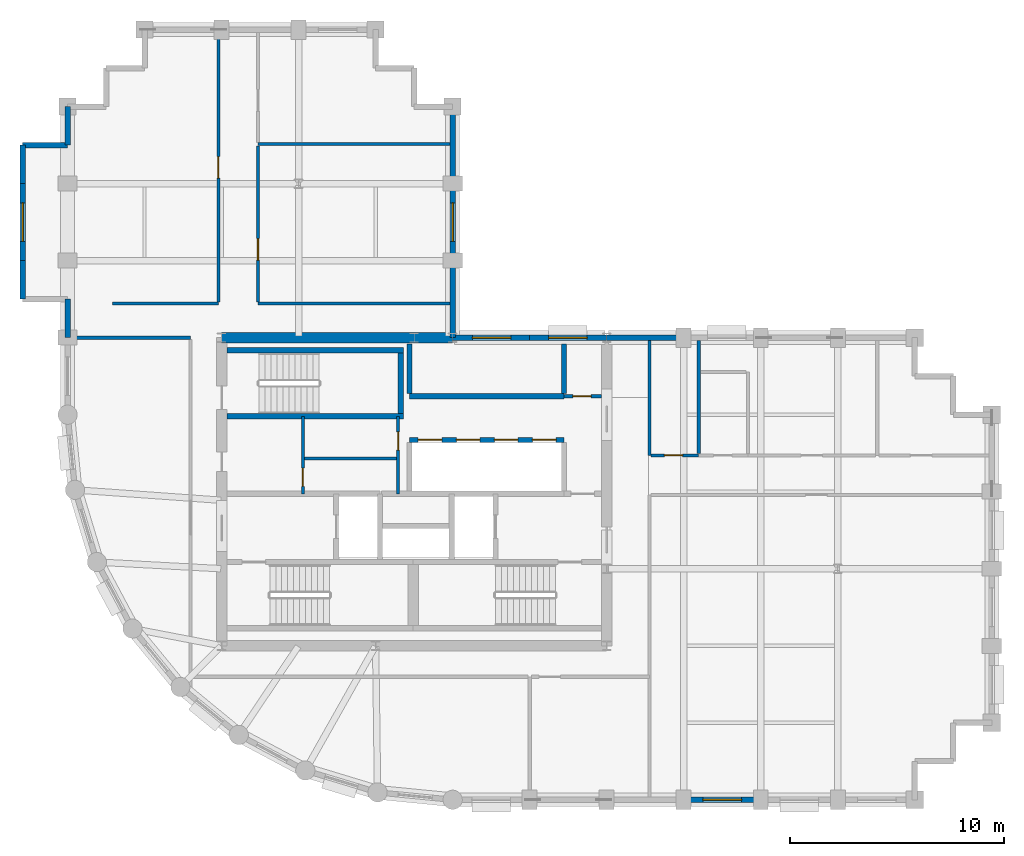
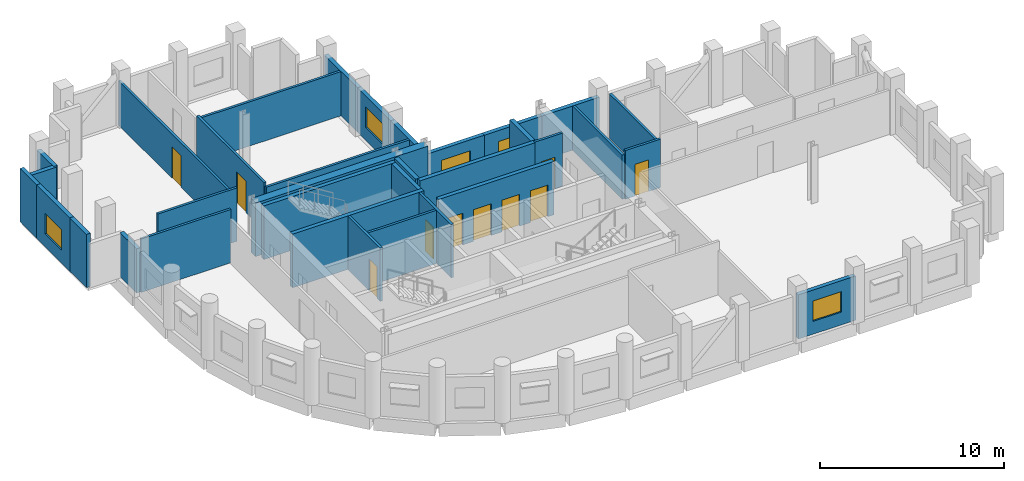
# One storey, part 4 of 8: 34 walls, 10 doors, 5 windows, 15 openings.
"""IFC4 building model written with IfcOpenShell, lengths in metres."""

import ifcopenshell
import ifcopenshell.guid

model = None  # the IFC model being written
_history = None  # IfcOwnerHistory: only IFC2X3 demands one
_inside = {}  # id of a spatial element -> (the spatial element, [elements in it])
_under = {}  # id of a project, library or spatial element -> (it, [spatial elements below it])
_declared = {}  # id of a project -> (the project, [libraries it declares])
_typed = {}  # id of a type object -> (the type object, [elements of that type])
_made_of = {}  # id of a material, layer set ... -> (it, [elements and type objects made of it])


def new_model(schema):
    """Start an empty IFC model of exactly this schema.

    Asked for "IFC4X3", IfcOpenShell would pick the latest addendum, in which some entities
    have other attributes; the version numbers below select the first issue.
    IFC2X3 requires an IfcOwnerHistory on every rooted entity: one is made here for all.
    """
    global model, _history
    if schema == "IFC4X3":
        model = ifcopenshell.file(schema_version=(4, 3, 0, 0))
    else:
        model = ifcopenshell.file(schema=schema)
    _inside.clear()
    _under.clear()
    _declared.clear()
    _typed.clear()
    _made_of.clear()
    _history = None
    if model.schema == "IFC2X3":
        org = make("IfcOrganization", Name="unknown")
        user = make(
            "IfcPersonAndOrganization",
            ThePerson=make("IfcPerson", FamilyName="unknown"),
            TheOrganization=org,
        )
        app = make(
            "IfcApplication",
            ApplicationDeveloper=org,
            Version="unknown",
            ApplicationFullName="unknown",
            ApplicationIdentifier="unknown",
        )
        _history = make(
            "IfcOwnerHistory",
            OwningUser=user,
            OwningApplication=app,
            ChangeAction="ADDED",
            CreationDate=0,
        )
    return model


def make(cls, **values):
    """One entity of the class cls with the attributes given. An attribute that is None is left unset."""
    return model.create_entity(
        cls, **{name: value for name, value in values.items() if value is not None}
    )


def rooted(cls, **values):
    """An entity with a GlobalId (a new one), such as an element, a storey or a relation."""
    return make(cls, GlobalId=ifcopenshell.guid.new(), OwnerHistory=_history, **values)


def si_unit(unit_type, name, prefix=None):
    """IfcSIUnit, for example si_unit("LENGTHUNIT", "METRE", prefix="MILLI")."""
    return make("IfcSIUnit", UnitType=unit_type, Prefix=prefix, Name=name)


def assignment(units):
    """IfcUnitAssignment: the units of a project."""
    return None if units is None else make("IfcUnitAssignment", Units=units)


def point(xyz):
    """IfcCartesianPoint."""
    return None if xyz is None else make("IfcCartesianPoint", Coordinates=xyz)


def direction(xyz):
    """IfcDirection."""
    return None if xyz is None else make("IfcDirection", DirectionRatios=xyz)


def frame(location, z_axis=None, x_axis=None):
    """IfcAxis2Placement3D, a coordinate frame: its origin and axes. An axis left out is left unset."""
    return make(
        "IfcAxis2Placement3D",
        Location=point(location),
        Axis=direction(z_axis),
        RefDirection=direction(x_axis),
    )


def frame_2d(location, x_axis=None):
    """IfcAxis2Placement2D, a coordinate frame in the plane: its origin and x axis."""
    return make(
        "IfcAxis2Placement2D", Location=point(location), RefDirection=direction(x_axis)
    )


def origin():
    """The frame at (0, 0, 0) with its axes left unset."""
    return frame((0.0, 0.0, 0.0))


def place(relative_to, where):
    """IfcLocalPlacement: puts the frame where relative to a parent placement (None: the world)."""
    return make(
        "IfcLocalPlacement", PlacementRelTo=relative_to, RelativePlacement=where
    )


def context(
    kind, dimensions, precision=None, world=None, true_north=None, identifier=None
):
    """IfcGeometricRepresentationContext, for example the 3D "Model" context."""
    return make(
        "IfcGeometricRepresentationContext",
        ContextIdentifier=identifier,
        ContextType=kind,
        CoordinateSpaceDimension=dimensions,
        Precision=precision,
        WorldCoordinateSystem=world,
        TrueNorth=true_north,
    )


def subcontext(parent, identifier, kind, view, scale=None):
    """IfcGeometricRepresentationSubContext, for example "Body" below "Model"."""
    return make(
        "IfcGeometricRepresentationSubContext",
        ContextIdentifier=identifier,
        ContextType=kind,
        ParentContext=parent,
        TargetScale=scale,
        TargetView=view,
    )


def project(units=None, contexts=None):
    """IfcProject with its units and contexts."""
    return rooted(
        "IfcProject",
        Name="project",
        RepresentationContexts=contexts,
        UnitsInContext=assignment(units),
    )


def spatial(cls, under=None, at=None, **own):
    """A site, building, storey or space (cls), placed at a placement, below another one or the project."""
    s = rooted(cls, ObjectPlacement=at, **own)
    if under is not None:
        _under.setdefault(under.id(), (under, []))[1].append(s)
    return s


def profile(cls, at=None, kind="AREA", **sizes):
    """A parametric profile (cls). Its sizes go by their IFC names, for example OverallWidth=200.0."""
    return make(cls, ProfileType=kind, Position=at, **sizes)


def rectangle(**sizes):
    """IfcRectangleProfileDef."""
    return profile("IfcRectangleProfileDef", **sizes)


def extrude(swept, where, along, depth):
    """IfcExtrudedAreaSolid: the profile swept, set in the frame where, extruded along a direction by depth."""
    return make(
        "IfcExtrudedAreaSolid",
        SweptArea=swept,
        Position=where,
        ExtrudedDirection=direction(along),
        Depth=depth,
    )


def shape(context_of_items, identifier, shape_type, items):
    """IfcShapeRepresentation: the items that make up one representation, for example the "Body"."""
    return make(
        "IfcShapeRepresentation",
        ContextOfItems=context_of_items,
        RepresentationIdentifier=identifier,
        RepresentationType=shape_type,
        Items=items,
    )


def material(Name=None, Category=None):
    """IfcMaterial."""
    return make("IfcMaterial", Name=Name, Category=Category)


def layer(
    of_material, thickness, ventilated=None, Name=None, Category=None, Priority=None
):
    """IfcMaterialLayer: one layer of a wall or slab, of a material (None: an air gap)."""
    return make(
        "IfcMaterialLayer",
        Material=of_material,
        LayerThickness=thickness,
        IsVentilated=ventilated,
        Name=Name,
        Category=Category,
        Priority=Priority,
    )


def layer_set(layers, Name=None):
    """IfcMaterialLayerSet."""
    return make("IfcMaterialLayerSet", MaterialLayers=layers, LayerSetName=Name)


def made_of(thing, what):
    """Note that an element or type object is made of a material, layer set ...; save() writes the relation."""
    if what is not None:
        _made_of.setdefault(what.id(), (what, []))[1].append(thing)
    return thing


def type_object(cls, material=None, **own):
    """A type object (cls), such as IfcWallType, which elements share."""
    return made_of(rooted(cls, **own), material)


def element(
    cls,
    number,
    at=None,
    inside=None,
    cuts=None,
    type_object=None,
    material=None,
    context=None,
    identifier="Body",
    shape_type=None,
    held_by="IfcProductDefinitionShape",
    body=None,
    shapes=None,
    **own,
):
    """One element of the class cls, such as IfcWall. Its Tag is "e" and its number.

    at: its placement. inside: the storey or other place that contains it. cuts: it is an
    opening in that element (IfcRelVoidsElement). A single representation is given by context,
    identifier, shape_type and body (its items); several are given by shapes. held_by: the class
    of the entity that holds the representations. save() writes the other relations.
    """
    e = rooted(cls, Tag="e%d" % number, ObjectPlacement=at, **own)
    if body is not None:
        shapes = [shape(context, identifier, shape_type, body)]
    if shapes is not None:
        e.Representation = make(held_by, Representations=shapes)
    if inside is not None:
        _inside.setdefault(inside.id(), (inside, []))[1].append(e)
    if cuts is not None:
        rooted(
            "IfcRelVoidsElement", RelatingBuildingElement=cuts, RelatedOpeningElement=e
        )
    if type_object is not None:
        _typed.setdefault(type_object.id(), (type_object, []))[1].append(e)
    return made_of(e, material)


def fill(opening, filler):
    """IfcRelFillsElement: the door or window that sits in an opening."""
    return rooted(
        "IfcRelFillsElement",
        RelatingOpeningElement=opening,
        RelatedBuildingElement=filler,
    )


def aggregate(whole, parts):
    """IfcRelAggregates: a whole, such as a stair, and the parts it consists of."""
    return rooted("IfcRelAggregates", RelatingObject=whole, RelatedObjects=parts)


def save(model, path):
    """Write the relations noted so far, then the file.

    IfcRelAggregates (storeys below a building ...), IfcRelContainedInSpatialStructure (elements
    in a storey), IfcRelDefinesByType, IfcRelAssociatesMaterial and IfcRelDeclares: one each for
    every whole, place, type object, material and project.
    """
    for whole, parts in _under.values():
        aggregate(whole, parts)
    for where, things in _inside.values():
        rooted(
            "IfcRelContainedInSpatialStructure",
            RelatedElements=things,
            RelatingStructure=where,
        )
    for kind, things in _typed.values():
        rooted("IfcRelDefinesByType", RelatedObjects=things, RelatingType=kind)
    for what, things in _made_of.values():
        rooted("IfcRelAssociatesMaterial", RelatedObjects=things, RelatingMaterial=what)
    for by, libraries in _declared.values():
        rooted("IfcRelDeclares", RelatingContext=by, RelatedDefinitions=libraries)
    model.write(path)


model = new_model("IFC4")

# Units and contexts
model_context = context("Model", 3, precision=1e-05, world=origin(), true_north=direction((0.0, 1.0)))
body_context = subcontext(model_context, "Body", "Model", "MODEL_VIEW")
ifc_project = project(units=[si_unit("LENGTHUNIT", "METRE"), si_unit("AREAUNIT", "SQUARE_METRE"), si_unit("VOLUMEUNIT", "CUBIC_METRE"), si_unit("PLANEANGLEUNIT", "RADIAN"), si_unit("MASSUNIT", "GRAM", prefix="KILO")], contexts=[model_context])

# Site, building, storey
site_placement = place(None, origin())
site = spatial("IfcSite", under=ifc_project, at=site_placement, CompositionType="ELEMENT")
building_placement = place(site_placement, origin())
building = spatial("IfcBuilding", under=site, at=building_placement, Name="Solnavia Interchange Tower", CompositionType="ELEMENT")
storey_placement = place(building_placement, frame((0.0, 0.0, 197.60009765625)))
storey = spatial("IfcBuildingStorey", under=building, at=storey_placement, Name="L49", CompositionType="ELEMENT", Elevation=197.60009765625)

# Wall, opening, window
ifc_material_1 = material(Name="Concrete C40/50", Category="concrete")
ifc_layer_1 = layer(ifc_material_1, 0.25)
ifc_layer_set_1 = layer_set([ifc_layer_1], Name="Concrete C40/50")
wall_type_1 = type_object("IfcWallType", Name="Wall-ExtSpandrel-250", PredefinedType="STANDARD", material=ifc_layer_set_1)
wall_1_placement = place(storey_placement, frame((39.60009765625, 3.60009765625, 0.0), z_axis=(0.0, 0.0, 1.0), x_axis=(-1.0, 0.0, 0.0)))
wall_1 = element("IfcWall", 1, at=wall_1_placement, inside=storey, type_object=wall_type_1, Name="EXW-L49-04 Exterior precast spandrel wall", PredefinedType="STANDARD", context=body_context, shape_type="SweptSolid", body=[
    extrude(rectangle(XDim=3.60009765625, YDim=0.25, at=frame_2d((1.800048828125, 0.0))), origin(), (0.0, 0.0, 1.0), 2.929931640625),
])
opening_1_placement = place(wall_1_placement, frame((0.89990234375, 0.0, 0.85009765625)))
opening_1 = element("IfcOpeningElement", 2, at=opening_1_placement, cuts=wall_1, Name="Opening WIN-02", PredefinedType="OPENING", context=body_context, shape_type="SweptSolid", body=[
    extrude(rectangle(XDim=1.800048828125, YDim=1.35009765625, at=frame_2d((0.89990234375, 0.675048828125))), frame((0.0, 0.135009765625, 0.0), z_axis=(0.0, -1.0, 0.0), x_axis=(1.0, 0.0, 0.0)), (0.0, 0.0, 1.0), 0.27001953125),
])
ifc_material_2 = material(Name="Thermal-Break Aluminium & Low-E Glass", Category="aluminium")
window_type = type_object("IfcWindowType", Name="Window-Ribbon-1800x1350", PartitioningType="SINGLE_PANEL", PredefinedType="WINDOW", material=ifc_material_2)
window_1_placement = place(opening_1_placement, origin())
window_1 = element("IfcWindow", 3, at=window_1_placement, inside=storey, type_object=window_type, Name="WIN-L49-04 Facade ribbon window", OverallHeight=1.35009765625, OverallWidth=1.800048828125, PartitioningType="SINGLE_PANEL", PredefinedType="WINDOW", context=body_context, shape_type="SweptSolid", body=[
    extrude(rectangle(XDim=1.800048828125, YDim=1.35009765625, at=frame_2d((0.89990234375, 0.675048828125))), frame((0.0, 0.030029296875, 0.0), z_axis=(0.0, -1.0, 0.0), x_axis=(1.0, 0.0, 0.0)), (0.0, 0.0, 1.0), 0.06005859375),
])
fill(opening_1, window_1)

# Wall
wall_2_placement = place(storey_placement, frame((32.39990234375, 25.199951171875, 0.0), z_axis=(0.0, 0.0, 1.0), x_axis=(1.0, 0.0, 0.0)))
element("IfcWall", 4, at=wall_2_placement, inside=storey, type_object=wall_type_1, Name="EXW-L49-22 Exterior precast spandrel wall", PredefinedType="STANDARD", context=body_context, shape_type="SweptSolid", body=[
    extrude(rectangle(XDim=3.60009765625, YDim=0.25, at=frame_2d((1.800048828125, 0.0))), origin(), (0.0, 0.0, 1.0), 2.929931640625),
])

# Wall, opening, window
wall_3_placement = place(storey_placement, frame((28.800048828125, 25.199951171875, 0.0), z_axis=(0.0, 0.0, 1.0), x_axis=(1.0, 0.0, 0.0)))
wall_3 = element("IfcWall", 5, at=wall_3_placement, inside=storey, type_object=wall_type_1, Name="EXW-L49-23 Exterior precast spandrel wall", PredefinedType="STANDARD", context=body_context, shape_type="SweptSolid", body=[
    extrude(rectangle(XDim=3.599853515625, YDim=0.25, at=frame_2d((1.7998046875, 0.0))), origin(), (0.0, 0.0, 1.0), 2.929931640625),
])
opening_2_placement = place(wall_3_placement, frame((0.884033203125, 0.0, 0.85009765625)))
opening_2 = element("IfcOpeningElement", 6, at=opening_2_placement, cuts=wall_3, Name="Opening WIN-02", PredefinedType="OPENING", context=body_context, shape_type="SweptSolid", body=[
    extrude(rectangle(XDim=1.800048828125, YDim=1.35009765625, at=frame_2d((0.89990234375, 0.675048828125))), frame((0.0, 0.135009765625, 0.0), z_axis=(0.0, -1.0, 0.0), x_axis=(1.0, 0.0, 0.0)), (0.0, 0.0, 1.0), 0.27001953125),
])
window_2_placement = place(opening_2_placement, origin())
window_2 = element("IfcWindow", 7, at=window_2_placement, inside=storey, type_object=window_type, Name="WIN-L49-23 Facade ribbon window", OverallHeight=1.35009765625, OverallWidth=1.800048828125, PartitioningType="SINGLE_PANEL", PredefinedType="WINDOW", context=body_context, shape_type="SweptSolid", body=[
    extrude(rectangle(XDim=1.800048828125, YDim=1.35009765625, at=frame_2d((0.89990234375, 0.675048828125))), frame((0.0, 0.030029296875, 0.0), z_axis=(0.0, -1.0, 0.0), x_axis=(1.0, 0.0, 0.0)), (0.0, 0.0, 1.0), 0.06005859375),
])
fill(opening_2, window_2)

wall_4_placement = place(storey_placement, frame((25.199951171875, 25.199951171875, 0.0), z_axis=(0.0, 0.0, 1.0), x_axis=(1.0, 0.0, 0.0)))
wall_4 = element("IfcWall", 8, at=wall_4_placement, inside=storey, type_object=wall_type_1, Name="EXW-L49-24 Exterior precast spandrel wall", PredefinedType="STANDARD", context=body_context, shape_type="SweptSolid", body=[
    extrude(rectangle(XDim=3.60009765625, YDim=0.25, at=frame_2d((1.800048828125, 0.0))), origin(), (0.0, 0.0, 1.0), 2.929931640625),
])
opening_3_placement = place(wall_4_placement, frame((0.916015625, 0.0, 0.85009765625)))
opening_3 = element("IfcOpeningElement", 9, at=opening_3_placement, cuts=wall_4, Name="Opening WIN-02", PredefinedType="OPENING", context=body_context, shape_type="SweptSolid", body=[
    extrude(rectangle(XDim=1.800048828125, YDim=1.35009765625, at=frame_2d((0.89990234375, 0.675048828125))), frame((0.0, 0.135009765625, 0.0), z_axis=(0.0, -1.0, 0.0), x_axis=(1.0, 0.0, 0.0)), (0.0, 0.0, 1.0), 0.27001953125),
])
window_3_placement = place(opening_3_placement, origin())
window_3 = element("IfcWindow", 10, at=window_3_placement, inside=storey, type_object=window_type, Name="WIN-L49-24 Facade ribbon window", OverallHeight=1.35009765625, OverallWidth=1.800048828125, PartitioningType="SINGLE_PANEL", PredefinedType="WINDOW", context=body_context, shape_type="SweptSolid", body=[
    extrude(rectangle(XDim=1.800048828125, YDim=1.35009765625, at=frame_2d((0.89990234375, 0.675048828125))), frame((0.0, 0.030029296875, 0.0), z_axis=(0.0, -1.0, 0.0), x_axis=(1.0, 0.0, 0.0)), (0.0, 0.0, 1.0), 0.06005859375),
])
fill(opening_3, window_3)

# Wall
wall_5_placement = place(storey_placement, frame((25.199951171875, 25.199951171875, 0.0), z_axis=(0.0, 0.0, 1.0), x_axis=(0.0, 1.0, 0.0)))
element("IfcWall", 11, at=wall_5_placement, inside=storey, type_object=wall_type_1, Name="EXW-L49-25 Exterior precast spandrel wall", PredefinedType="STANDARD", context=body_context, shape_type="SweptSolid", body=[
    extrude(rectangle(XDim=3.60009765625, YDim=0.25, at=frame_2d((1.800048828125, 0.0))), origin(), (0.0, 0.0, 1.0), 2.929931640625),
])

# Wall, opening, window
wall_6_placement = place(storey_placement, frame((25.199951171875, 28.800048828125, 0.0), z_axis=(0.0, 0.0, 1.0), x_axis=(0.0, 1.0, 0.0)))
wall_6 = element("IfcWall", 12, at=wall_6_placement, inside=storey, type_object=wall_type_1, Name="EXW-L49-26 Exterior precast spandrel wall", PredefinedType="STANDARD", context=body_context, shape_type="SweptSolid", body=[
    extrude(rectangle(XDim=3.599853515625, YDim=0.25, at=frame_2d((1.7998046875, 0.0))), origin(), (0.0, 0.0, 1.0), 2.929931640625),
])
opening_4_placement = place(wall_6_placement, frame((0.89990234375, 0.0, 0.85009765625)))
opening_4 = element("IfcOpeningElement", 13, at=opening_4_placement, cuts=wall_6, Name="Opening WIN-02", PredefinedType="OPENING", context=body_context, shape_type="SweptSolid", body=[
    extrude(rectangle(XDim=1.800048828125, YDim=1.35009765625, at=frame_2d((0.89990234375, 0.675048828125))), frame((0.0, 0.135009765625, 0.0), z_axis=(0.0, -1.0, 0.0), x_axis=(1.0, 0.0, 0.0)), (0.0, 0.0, 1.0), 0.27001953125),
])
window_4_placement = place(opening_4_placement, origin())
window_4 = element("IfcWindow", 14, at=window_4_placement, inside=storey, type_object=window_type, Name="WIN-L49-26 Facade ribbon window", OverallHeight=1.35009765625, OverallWidth=1.800048828125, PartitioningType="SINGLE_PANEL", PredefinedType="WINDOW", context=body_context, shape_type="SweptSolid", body=[
    extrude(rectangle(XDim=1.800048828125, YDim=1.35009765625, at=frame_2d((0.89990234375, 0.675048828125))), frame((0.0, 0.030029296875, 0.0), z_axis=(0.0, -1.0, 0.0), x_axis=(1.0, 0.0, 0.0)), (0.0, 0.0, 1.0), 0.06005859375),
])
fill(opening_4, window_4)

# Walls
wall_7_placement = place(storey_placement, frame((25.199951171875, 32.39990234375, 0.0), z_axis=(0.0, 0.0, 1.0), x_axis=(0.0, 1.0, 0.0)))
element("IfcWall", 15, at=wall_7_placement, inside=storey, type_object=wall_type_1, Name="EXW-L49-27 Exterior precast spandrel wall", PredefinedType="STANDARD", context=body_context, shape_type="SweptSolid", body=[
    extrude(rectangle(XDim=3.60009765625, YDim=0.25, at=frame_2d((1.800048828125, 0.0))), origin(), (0.0, 0.0, 1.0), 2.929931640625),
])
wall_8_placement = place(storey_placement, frame((7.199951171875, 34.199951171875, 0.0), z_axis=(0.0, 0.0, 1.0), x_axis=(0.0, 1.0, 0.0)))
element("IfcWall", 16, at=wall_8_placement, inside=storey, type_object=wall_type_1, Name="EXW-L49-39 Exterior precast spandrel wall", PredefinedType="STANDARD", context=body_context, shape_type="SweptSolid", body=[
    extrude(rectangle(XDim=1.800048828125, YDim=0.25, at=frame_2d((0.89990234375, 0.0))), origin(), (0.0, 0.0, 1.0), 2.929931640625),
])
wall_9_placement = place(storey_placement, frame((5.10009765625, 34.199951171875, 0.0), z_axis=(0.0, 0.0, 1.0), x_axis=(1.0, 0.0, 0.0)))
element("IfcWall", 17, at=wall_9_placement, inside=storey, type_object=wall_type_1, Name="EXW-L49-40 Exterior precast spandrel wall", PredefinedType="STANDARD", context=body_context, shape_type="SweptSolid", body=[
    extrude(rectangle(XDim=2.099853515625, YDim=0.25, at=frame_2d((1.0498046875, 0.0))), origin(), (0.0, 0.0, 1.0), 2.929931640625),
])
wall_10_placement = place(storey_placement, frame((5.10009765625, 32.39990234375, 0.0), z_axis=(0.0, 0.0, 1.0), x_axis=(0.0, 1.0, 0.0)))
element("IfcWall", 18, at=wall_10_placement, inside=storey, type_object=wall_type_1, Name="EXW-L49-41 Exterior precast spandrel wall", PredefinedType="STANDARD", context=body_context, shape_type="SweptSolid", body=[
    extrude(rectangle(XDim=1.800048828125, YDim=0.25, at=frame_2d((0.89990234375, 0.0))), origin(), (0.0, 0.0, 1.0), 3.534912109375),
])

# Wall, opening, window
wall_11_placement = place(storey_placement, frame((5.10009765625, 28.800048828125, 0.0), z_axis=(0.0, 0.0, 1.0), x_axis=(0.0, 1.0, 0.0)))
wall_11 = element("IfcWall", 19, at=wall_11_placement, inside=storey, type_object=wall_type_1, Name="EXW-L49-42 Exterior precast spandrel wall", PredefinedType="STANDARD", context=body_context, shape_type="SweptSolid", body=[
    extrude(rectangle(XDim=3.599853515625, YDim=0.25, at=frame_2d((1.7998046875, 0.0))), origin(), (0.0, 0.0, 1.0), 3.534912109375),
])
opening_5_placement = place(wall_11_placement, frame((0.89990234375, 0.0, 0.85009765625)))
opening_5 = element("IfcOpeningElement", 20, at=opening_5_placement, cuts=wall_11, Name="Opening WIN-02", PredefinedType="OPENING", context=body_context, shape_type="SweptSolid", body=[
    extrude(rectangle(XDim=1.800048828125, YDim=1.35009765625, at=frame_2d((0.89990234375, 0.675048828125))), frame((0.0, 0.135009765625, 0.0), z_axis=(0.0, -1.0, 0.0), x_axis=(1.0, 0.0, 0.0)), (0.0, 0.0, 1.0), 0.27001953125),
])
window_5_placement = place(opening_5_placement, origin())
window_5 = element("IfcWindow", 21, at=window_5_placement, inside=storey, type_object=window_type, Name="WIN-L49-42 Facade ribbon window", OverallHeight=1.35009765625, OverallWidth=1.800048828125, PartitioningType="SINGLE_PANEL", PredefinedType="WINDOW", context=body_context, shape_type="SweptSolid", body=[
    extrude(rectangle(XDim=1.800048828125, YDim=1.35009765625, at=frame_2d((0.89990234375, 0.675048828125))), frame((0.0, 0.030029296875, 0.0), z_axis=(0.0, -1.0, 0.0), x_axis=(1.0, 0.0, 0.0)), (0.0, 0.0, 1.0), 0.06005859375),
])
fill(opening_5, window_5)

# Walls
wall_12_placement = place(storey_placement, frame((5.10009765625, 27.0, 0.0), z_axis=(0.0, 0.0, 1.0), x_axis=(0.0, 1.0, 0.0)))
element("IfcWall", 22, at=wall_12_placement, inside=storey, type_object=wall_type_1, Name="EXW-L49-43 Exterior precast spandrel wall", PredefinedType="STANDARD", context=body_context, shape_type="SweptSolid", body=[
    extrude(rectangle(XDim=1.800048828125, YDim=0.25, at=frame_2d((0.89990234375, 0.0))), origin(), (0.0, 0.0, 1.0), 3.534912109375),
])
wall_13_placement = place(storey_placement, frame((7.199951171875, 25.199951171875, 0.0), z_axis=(0.0, 0.0, 1.0), x_axis=(0.0, 1.0, 0.0)))
element("IfcWall", 23, at=wall_13_placement, inside=storey, type_object=wall_type_1, Name="EXW-L49-45 Exterior precast spandrel wall", PredefinedType="STANDARD", context=body_context, shape_type="SweptSolid", body=[
    extrude(rectangle(XDim=1.800048828125, YDim=0.25, at=frame_2d((0.89990234375, 0.0))), origin(), (0.0, 0.0, 1.0), 2.929931640625),
])

# Wall, opening, door
ifc_material_3 = material(Name="Gypsum Plasterboard & Steel Stud", Category="steel")
ifc_layer_2 = layer(ifc_material_3, 0.14990234375)
ifc_layer_set_2 = layer_set([ifc_layer_2], Name="Gypsum Plasterboard & Steel Stud")
wall_type_2 = type_object("IfcWallType", Name="Wall-Partition-150", PredefinedType="PARTITIONING", material=ifc_layer_set_2)
wall_14_placement = place(storey_placement, frame((22.64990234375, 17.89990234375, 0.0), z_axis=(0.0, 0.0, 1.0), x_axis=(0.0, 1.0, 0.0)))
wall_14 = element("IfcWall", 24, at=wall_14_placement, inside=storey, type_object=wall_type_2, Name="CSW-L49-E Core shaft wall", PredefinedType="PARTITIONING", context=body_context, shape_type="SweptSolid", body=[
    extrude(rectangle(XDim=3.625, YDim=0.14990234375, at=frame_2d((1.8125, 0.0))), origin(), (0.0, 0.0, 1.0), 3.534912109375),
])
opening_6_placement = place(wall_14_placement, frame((2.050048828125, 0.0, 0.0)))
opening_6 = element("IfcOpeningElement", 25, at=opening_6_placement, cuts=wall_14, Name="Opening DR-10", PredefinedType="OPENING", context=body_context, shape_type="SweptSolid", body=[
    extrude(rectangle(XDim=0.85009765625, YDim=2.10009765625, at=frame_2d((0.425048828125, 1.050048828125))), frame((0.0, 0.0849609375, 0.0), z_axis=(0.0, -1.0, 0.0), x_axis=(1.0, 0.0, 0.0)), (0.0, 0.0, 1.0), 0.169921875),
])
ifc_material_4 = material(Name="Moisture-Resistant Timber Door", Category="wood")
door_type_1 = type_object("IfcDoorType", Name="Door-Bathroom-850x2100", OperationType="SINGLE_SWING_RIGHT", PredefinedType="DOOR", material=ifc_material_4)
door_1_placement = place(opening_6_placement, origin())
door_1 = element("IfcDoor", 26, at=door_1_placement, inside=storey, type_object=door_type_1, Name="DR-L49-CS3 Core fire door", OperationType="SINGLE_SWING_LEFT", OverallHeight=2.10009765625, OverallWidth=0.85009765625, PredefinedType="DOOR", context=body_context, shape_type="SweptSolid", body=[
    extrude(rectangle(XDim=0.85009765625, YDim=2.10009765625, at=frame_2d((0.425048828125, 1.050048828125))), frame((0.0, 0.02490234375, 0.0), z_axis=(0.0, -1.0, 0.0), x_axis=(1.0, 0.0, 0.0)), (0.0, 0.0, 1.0), 0.050048828125),
])
fill(opening_6, door_1)

wall_15_placement = place(storey_placement, frame((18.199951171875, 17.89990234375, 0.0), z_axis=(0.0, 0.0, 1.0), x_axis=(0.0, 1.0, 0.0)))
wall_15 = element("IfcWall", 27, at=wall_15_placement, inside=storey, type_object=wall_type_2, Name="CSW-L49-M1 Core shaft wall", PredefinedType="PARTITIONING", context=body_context, shape_type="SweptSolid", body=[
    extrude(rectangle(XDim=3.625, YDim=0.14990234375, at=frame_2d((1.8125, 0.0))), origin(), (0.0, 0.0, 1.0), 3.534912109375),
])
opening_7_placement = place(wall_15_placement, frame((0.35009765625, 0.0, 0.0)))
opening_7 = element("IfcOpeningElement", 28, at=opening_7_placement, cuts=wall_15, Name="Opening DR-10", PredefinedType="OPENING", context=body_context, shape_type="SweptSolid", body=[
    extrude(rectangle(XDim=0.85009765625, YDim=2.10009765625, at=frame_2d((0.425048828125, 1.050048828125))), frame((0.0, 0.0849609375, 0.0), z_axis=(0.0, -1.0, 0.0), x_axis=(1.0, 0.0, 0.0)), (0.0, 0.0, 1.0), 0.169921875),
])
door_2_placement = place(opening_7_placement, origin())
door_2 = element("IfcDoor", 29, at=door_2_placement, inside=storey, type_object=door_type_1, Name="DR-L49-CS2 Core fire door", OperationType="SINGLE_SWING_LEFT", OverallHeight=2.10009765625, OverallWidth=0.85009765625, PredefinedType="DOOR", context=body_context, shape_type="SweptSolid", body=[
    extrude(rectangle(XDim=0.85009765625, YDim=2.10009765625, at=frame_2d((0.425048828125, 1.050048828125))), frame((0.0, 0.02490234375, 0.0), z_axis=(0.0, -1.0, 0.0), x_axis=(1.0, 0.0, 0.0)), (0.0, 0.0, 1.0), 0.050048828125),
])
fill(opening_7, door_2)

# Wall
wall_16_placement = place(storey_placement, frame((18.199951171875, 19.550048828125, 0.0), z_axis=(0.0, 0.0, 1.0), x_axis=(1.0, 0.0, 0.0)))
element("IfcWall", 30, at=wall_16_placement, inside=storey, type_object=wall_type_2, Name="CSW-L49-H1 Core shaft wall", PredefinedType="PARTITIONING", context=body_context, shape_type="SweptSolid", body=[
    extrude(rectangle(XDim=4.449951171875, YDim=0.14990234375, at=frame_2d((2.22509765625, 0.0))), origin(), (0.0, 0.0, 1.0), 3.534912109375),
])

# Wall, opening, door
wall_17_placement = place(storey_placement, frame((30.39990234375, 22.4599609375, 0.0), z_axis=(0.0, 0.0, 1.0), x_axis=(1.0, 0.0, 0.0)))
wall_17 = element("IfcWall", 31, at=wall_17_placement, inside=storey, type_object=wall_type_2, Name="CSW-L49-NE-S Core shaft wall", PredefinedType="PARTITIONING", context=body_context, shape_type="SweptSolid", body=[
    extrude(rectangle(XDim=1.75, YDim=0.14990234375, at=frame_2d((0.875, 0.0))), origin(), (0.0, 0.0, 1.0), 3.534912109375),
])
opening_8_placement = place(wall_17_placement, frame((0.419921875, 0.0, 0.0)))
opening_8 = element("IfcOpeningElement", 32, at=opening_8_placement, cuts=wall_17, Name="Opening DR-10", PredefinedType="OPENING", context=body_context, shape_type="SweptSolid", body=[
    extrude(rectangle(XDim=0.85009765625, YDim=2.10009765625, at=frame_2d((0.425048828125, 1.050048828125))), frame((0.0, 0.0849609375, 0.0), z_axis=(0.0, -1.0, 0.0), x_axis=(1.0, 0.0, 0.0)), (0.0, 0.0, 1.0), 0.169921875),
])
door_3_placement = place(opening_8_placement, origin())
door_3 = element("IfcDoor", 33, at=door_3_placement, inside=storey, type_object=door_type_1, Name="DR-L49-CS4 Core fire door", OperationType="SINGLE_SWING_RIGHT", OverallHeight=2.10009765625, OverallWidth=0.85009765625, PredefinedType="DOOR", context=body_context, shape_type="SweptSolid", body=[
    extrude(rectangle(XDim=0.85009765625, YDim=2.10009765625, at=frame_2d((0.425048828125, 1.050048828125))), frame((0.0, 0.02490234375, 0.0), z_axis=(0.0, -1.0, 0.0), x_axis=(1.0, 0.0, 0.0)), (0.0, 0.0, 1.0), 0.050048828125),
])
fill(opening_8, door_3)

# Walls
wall_18_placement = place(storey_placement, frame((7.3291015625, 25.199951171875, 0.0), z_axis=(0.0, 0.0, 1.0), x_axis=(1.0, 0.0, 0.0)))
element("IfcWall", 34, at=wall_18_placement, inside=storey, type_object=wall_type_2, Name="PTW-L49-07 Interior partition wall", PredefinedType="PARTITIONING", context=body_context, shape_type="SweptSolid", body=[
    extrude(rectangle(XDim=5.620849609375, YDim=0.14990234375, at=frame_2d((2.810546875, 0.0))), origin(), (0.0, 0.0, 1.0), 3.534912109375),
])
wall_19_placement = place(storey_placement, frame((9.300048828125, 26.800048828125, 0.0), z_axis=(0.0, 0.0, 1.0), x_axis=(1.0, 0.0, 0.0)))
element("IfcWall", 35, at=wall_19_placement, inside=storey, type_object=wall_type_2, Name="PTW-L49-17 Interior partition wall", PredefinedType="PARTITIONING", context=body_context, shape_type="SweptSolid", body=[
    extrude(rectangle(XDim=4.949951171875, YDim=0.14990234375, at=frame_2d((2.47509765625, 0.0))), origin(), (0.0, 0.0, 1.0), 3.534912109375),
])

# Wall, opening, door
wall_20_placement = place(storey_placement, frame((14.25, 26.87890625, 0.0), z_axis=(0.0, 0.0, 1.0), x_axis=(0.0, 1.0, 0.0)))
wall_20 = element("IfcWall", 36, at=wall_20_placement, inside=storey, type_object=wall_type_2, Name="PTW-L49-18 Interior partition wall", PredefinedType="PARTITIONING", context=body_context, shape_type="SweptSolid", body=[
    extrude(rectangle(XDim=12.592041015625, YDim=0.14990234375, at=frame_2d((6.2958984375, 0.0))), origin(), (0.0, 0.0, 1.0), 2.929931640625),
])
opening_9_placement = place(wall_20_placement, frame((5.781005859375, 0.0, 0.0)))
opening_9 = element("IfcOpeningElement", 37, at=opening_9_placement, cuts=wall_20, Name="Opening DR-07", PredefinedType="OPENING", context=body_context, shape_type="SweptSolid", body=[
    extrude(rectangle(XDim=1.0, YDim=2.10009765625, at=frame_2d((0.5, 1.050048828125))), frame((0.0, 0.0849609375, 0.0), z_axis=(0.0, -1.0, 0.0), x_axis=(1.0, 0.0, 0.0)), (0.0, 0.0, 1.0), 0.169921875),
])
ifc_material_5 = material(Name="Timber & Acoustic Glazed Office Door", Category="wood")
door_type_2 = type_object("IfcDoorType", Name="Door-Office-1000x2100", OperationType="SINGLE_SWING_RIGHT", PredefinedType="DOOR", material=ifc_material_5)
door_4_placement = place(opening_9_placement, origin())
door_4 = element("IfcDoor", 38, at=door_4_placement, inside=storey, type_object=door_type_2, Name="DR-L49-08 Interior room door", OperationType="SINGLE_SWING_RIGHT", OverallHeight=2.10009765625, OverallWidth=1.0, PredefinedType="DOOR", context=body_context, shape_type="SweptSolid", body=[
    extrude(rectangle(XDim=1.0, YDim=2.10009765625, at=frame_2d((0.5, 1.050048828125))), frame((0.0, 0.02490234375, 0.0), z_axis=(0.0, -1.0, 0.0), x_axis=(1.0, 0.0, 0.0)), (0.0, 0.0, 1.0), 0.050048828125),
])
fill(opening_9, door_4)

# Walls
for number, where, z_axis, x_axis, name in (
    (39, (16.10009765625, 26.800048828125, 0.0), (0.0, 0.0, 1.0), (1.0, 0.0, 0.0), "PTW-L49-19 Interior partition wall"),
    (40, (16.10009765625, 34.25, 0.0), (0.0, 0.0, 1.0), (1.0, 0.0, 0.0), "PTW-L49-20 Interior partition wall"),
):
    element("IfcWall", number, at=place(storey_placement, frame(where, z_axis=z_axis, x_axis=x_axis)), inside=storey, type_object=wall_type_2, Name=name, PredefinedType="PARTITIONING", context=body_context, shape_type="SweptSolid", body=[
        extrude(rectangle(XDim=8.970947265625, YDim=0.14990234375, at=frame_2d((4.4853515625, 0.0))), origin(), (0.0, 0.0, 1.0), 2.929931640625),
    ])

# Wall, opening, door
wall_21_placement = place(storey_placement, frame((16.10009765625, 26.87890625, 0.0), z_axis=(0.0, 0.0, 1.0), x_axis=(0.0, 1.0, 0.0)))
wall_21 = element("IfcWall", 41, at=wall_21_placement, inside=storey, type_object=wall_type_2, Name="PTW-L49-21 Interior partition wall", PredefinedType="PARTITIONING", context=body_context, shape_type="SweptSolid", body=[
    extrude(rectangle(XDim=7.2919921875, YDim=0.14990234375, at=frame_2d((3.64599609375, 0.0))), origin(), (0.0, 0.0, 1.0), 3.169921875),
])
opening_10_placement = place(wall_21_placement, frame((1.951904296875, 0.0, 0.0)))
opening_10 = element("IfcOpeningElement", 42, at=opening_10_placement, cuts=wall_21, Name="Opening DR-07", PredefinedType="OPENING", context=body_context, shape_type="SweptSolid", body=[
    extrude(rectangle(XDim=1.0, YDim=2.10009765625, at=frame_2d((0.5, 1.050048828125))), frame((0.0, 0.0849609375, 0.0), z_axis=(0.0, -1.0, 0.0), x_axis=(1.0, 0.0, 0.0)), (0.0, 0.0, 1.0), 0.169921875),
])
door_5_placement = place(opening_10_placement, origin())
door_5 = element("IfcDoor", 43, at=door_5_placement, inside=storey, type_object=door_type_2, Name="DR-L49-09 Interior room door", OperationType="SINGLE_SWING_LEFT", OverallHeight=2.10009765625, OverallWidth=1.0, PredefinedType="DOOR", context=body_context, shape_type="SweptSolid", body=[
    extrude(rectangle(XDim=1.0, YDim=2.10009765625, at=frame_2d((0.5, 1.050048828125))), frame((0.0, 0.02490234375, 0.0), z_axis=(0.0, -1.0, 0.0), x_axis=(1.0, 0.0, 0.0)), (0.0, 0.0, 1.0), 0.050048828125),
])
fill(opening_10, door_5)

# Walls
ifc_layer_3 = layer(ifc_material_1, 0.25)
ifc_layer_set_3 = layer_set([ifc_layer_3], Name="Concrete C40/50")
wall_type_3 = type_object("IfcWallType", Name="Wall-ShaftCore-250", PredefinedType="SHEAR", material=ifc_layer_set_3)
for number, where, z_axis, x_axis, name in (
    (44, (14.64990234375, 21.52490234375, 0.0), (0.0, 0.0, 1.0), (1.0, 0.0, 0.0), "SHW-L49-ST3S Core shear wall"),
    (45, (14.64990234375, 24.614990234375, 0.0), (0.0, 0.0, 1.0), (1.0, 0.0, 0.0), "SHW-L49-ST3N Core shear wall"),
):
    element("IfcWall", number, at=place(storey_placement, frame(where, z_axis=z_axis, x_axis=x_axis)), inside=storey, type_object=wall_type_3, Name=name, PredefinedType="SHEAR", context=body_context, shape_type="SweptSolid", body=[
        extrude(rectangle(XDim=8.25, YDim=0.25, at=frame_2d((4.125, 0.0))), origin(), (0.0, 0.0, 1.0), 3.5498046875),
    ])
wall_22_placement = place(storey_placement, frame((22.77490234375, 21.64990234375, 0.0), z_axis=(0.0, 0.0, 1.0), x_axis=(0.0, 1.0, 0.0)))
element("IfcWall", 46, at=wall_22_placement, inside=storey, type_object=wall_type_3, Name="SHW-L49-ST3E Core shear wall", PredefinedType="SHEAR", context=body_context, shape_type="SweptSolid", body=[
    extrude(rectangle(XDim=2.840087890625, YDim=0.25, at=frame_2d((1.419921875, 0.0))), origin(), (0.0, 0.0, 1.0), 3.5498046875),
])

# Wall, openings, doors
ifc_layer_4 = layer(ifc_material_1, 0.25)
ifc_layer_set_4 = layer_set([ifc_layer_4], Name="Concrete C40/50")
wall_type_4 = type_object("IfcWallType", Name="Wall-ShaftPart-250", PredefinedType="PARTITIONING", material=ifc_layer_set_4)
wall_23_placement = place(storey_placement, frame((23.179931640625, 20.419921875, 0.0), z_axis=(0.0, 0.0, 1.0), x_axis=(1.0, 0.0, 0.0)))
wall_23 = element("IfcWall", 47, at=wall_23_placement, inside=storey, type_object=wall_type_4, Name="SHW-L49-B2N Core shaft wall", PredefinedType="PARTITIONING", context=body_context, shape_type="SweptSolid", body=[
    extrude(rectangle(XDim=7.219970703125, YDim=0.25, at=frame_2d((3.60986328125, 0.0))), origin(), (0.0, 0.0, 1.0), 3.534912109375),
])
opening_11_placement = place(wall_23_placement, frame((0.409912109375, 0.0, 0.0)))
opening_11 = element("IfcOpeningElement", 48, at=opening_11_placement, cuts=wall_23, Name="Opening LD-01", PredefinedType="OPENING", context=body_context, shape_type="SweptSolid", body=[
    extrude(rectangle(XDim=1.10009765625, YDim=2.10009765625, at=frame_2d((0.550048828125, 1.050048828125))), frame((0.0, 0.135009765625, 0.0), z_axis=(0.0, -1.0, 0.0), x_axis=(1.0, 0.0, 0.0)), (0.0, 0.0, 1.0), 0.27001953125),
])
opening_12_placement = place(wall_23_placement, frame((2.18994140625, 0.0, 0.0)))
opening_12 = element("IfcOpeningElement", 49, at=opening_12_placement, cuts=wall_23, Name="Opening LD-01", PredefinedType="OPENING", context=body_context, shape_type="SweptSolid", body=[
    extrude(rectangle(XDim=1.10009765625, YDim=2.10009765625, at=frame_2d((0.550048828125, 1.050048828125))), frame((0.0, 0.135009765625, 0.0), z_axis=(0.0, -1.0, 0.0), x_axis=(1.0, 0.0, 0.0)), (0.0, 0.0, 1.0), 0.27001953125),
])
opening_13_placement = place(wall_23_placement, frame((3.969970703125, 0.0, 0.0)))
opening_13 = element("IfcOpeningElement", 50, at=opening_13_placement, cuts=wall_23, Name="Opening LD-01", PredefinedType="OPENING", context=body_context, shape_type="SweptSolid", body=[
    extrude(rectangle(XDim=1.10009765625, YDim=2.10009765625, at=frame_2d((0.550048828125, 1.050048828125))), frame((0.0, 0.135009765625, 0.0), z_axis=(0.0, -1.0, 0.0), x_axis=(1.0, 0.0, 0.0)), (0.0, 0.0, 1.0), 0.27001953125),
])
opening_14_placement = place(wall_23_placement, frame((5.75, 0.0, 0.0)))
opening_14 = element("IfcOpeningElement", 51, at=opening_14_placement, cuts=wall_23, Name="Opening LD-01", PredefinedType="OPENING", context=body_context, shape_type="SweptSolid", body=[
    extrude(rectangle(XDim=1.10009765625, YDim=2.10009765625, at=frame_2d((0.550048828125, 1.050048828125))), frame((0.0, 0.135009765625, 0.0), z_axis=(0.0, -1.0, 0.0), x_axis=(1.0, 0.0, 0.0)), (0.0, 0.0, 1.0), 0.27001953125),
])
ifc_material_6 = material(Name="Brushed Stainless Steel Sliding Door", Category="steel")
door_type_3 = type_object("IfcDoorType", Name="Door-LiftLanding-1100x2100", OperationType="SLIDING_TO_LEFT", PredefinedType="DOOR", material=ifc_material_6)
door_6_placement = place(opening_11_placement, origin())
door_6 = element("IfcDoor", 52, at=door_6_placement, inside=storey, type_object=door_type_3, Name="LD-L49-B2-1 Lift landing sliding door", OperationType="SLIDING_TO_LEFT", OverallHeight=2.10009765625, OverallWidth=1.10009765625, PredefinedType="DOOR", context=body_context, shape_type="SweptSolid", body=[
    extrude(rectangle(XDim=1.10009765625, YDim=2.10009765625, at=frame_2d((0.550048828125, 1.050048828125))), frame((0.0, 0.02490234375, 0.0), z_axis=(0.0, -1.0, 0.0), x_axis=(1.0, 0.0, 0.0)), (0.0, 0.0, 1.0), 0.050048828125),
])
fill(opening_11, door_6)
door_7_placement = place(opening_12_placement, origin())
door_7 = element("IfcDoor", 53, at=door_7_placement, inside=storey, type_object=door_type_3, Name="LD-L49-B2-2 Lift landing sliding door", OperationType="SLIDING_TO_LEFT", OverallHeight=2.10009765625, OverallWidth=1.10009765625, PredefinedType="DOOR", context=body_context, shape_type="SweptSolid", body=[
    extrude(rectangle(XDim=1.10009765625, YDim=2.10009765625, at=frame_2d((0.550048828125, 1.050048828125))), frame((0.0, 0.02490234375, 0.0), z_axis=(0.0, -1.0, 0.0), x_axis=(1.0, 0.0, 0.0)), (0.0, 0.0, 1.0), 0.050048828125),
])
fill(opening_12, door_7)
door_8_placement = place(opening_13_placement, origin())
door_8 = element("IfcDoor", 54, at=door_8_placement, inside=storey, type_object=door_type_3, Name="LD-L49-B2-3 Lift landing sliding door", OperationType="SLIDING_TO_LEFT", OverallHeight=2.10009765625, OverallWidth=1.10009765625, PredefinedType="DOOR", context=body_context, shape_type="SweptSolid", body=[
    extrude(rectangle(XDim=1.10009765625, YDim=2.10009765625, at=frame_2d((0.550048828125, 1.050048828125))), frame((0.0, 0.02490234375, 0.0), z_axis=(0.0, -1.0, 0.0), x_axis=(1.0, 0.0, 0.0)), (0.0, 0.0, 1.0), 0.050048828125),
])
fill(opening_13, door_8)
door_9_placement = place(opening_14_placement, origin())
door_9 = element("IfcDoor", 55, at=door_9_placement, inside=storey, type_object=door_type_3, Name="LD-L49-B2-4 Lift landing sliding door", OperationType="SLIDING_TO_LEFT", OverallHeight=2.10009765625, OverallWidth=1.10009765625, PredefinedType="DOOR", context=body_context, shape_type="SweptSolid", body=[
    extrude(rectangle(XDim=1.10009765625, YDim=2.10009765625, at=frame_2d((0.550048828125, 1.050048828125))), frame((0.0, 0.02490234375, 0.0), z_axis=(0.0, -1.0, 0.0), x_axis=(1.0, 0.0, 0.0)), (0.0, 0.0, 1.0), 0.050048828125),
])
fill(opening_14, door_9)

# Walls
wall_24_placement = place(storey_placement, frame((23.179931640625, 22.4599609375, 0.0), z_axis=(0.0, 0.0, 1.0), x_axis=(1.0, 0.0, 0.0)))
element("IfcWall", 56, at=wall_24_placement, inside=storey, type_object=wall_type_4, Name="SHW-L49-B3S Core shaft wall", PredefinedType="PARTITIONING", context=body_context, shape_type="SweptSolid", body=[
    extrude(rectangle(XDim=7.219970703125, YDim=0.25, at=frame_2d((3.60986328125, 0.0))), origin(), (0.0, 0.0, 1.0), 3.534912109375),
])
for number, where, z_axis, x_axis, name in (
    (57, (23.179931640625, 22.5849609375, 0.0), (0.0, 0.0, 1.0), (0.0, 1.0, 0.0), "SHW-L49-B3W Core shaft wall"),
    (58, (30.39990234375, 22.5849609375, 0.0), (0.0, 0.0, 1.0), (0.0, 1.0, 0.0), "SHW-L49-B3E Core shaft wall"),
):
    element("IfcWall", number, at=place(storey_placement, frame(where, z_axis=z_axis, x_axis=x_axis)), inside=storey, type_object=wall_type_4, Name=name, PredefinedType="PARTITIONING", context=body_context, shape_type="SweptSolid", body=[
        extrude(rectangle(XDim=2.31494140625, YDim=0.25, at=frame_2d((1.157470703125, 0.0))), origin(), (0.0, 0.0, 1.0), 3.534912109375),
    ])
ifc_material_7 = material(Name="Concrete C60/75", Category="concrete")
ifc_layer_5 = layer(ifc_material_7, 0.5)
ifc_layer_set_5 = layer_set([ifc_layer_5], Name="Concrete C60/75")
wall_type_5 = type_object("IfcWallType", Name="Wall-ShearCore-500", PredefinedType="SHEAR", material=ifc_layer_set_5)
wall_25_placement = place(storey_placement, frame((14.39990234375, 25.199951171875, 0.0), z_axis=(0.0, 0.0, 1.0), x_axis=(1.0, 0.0, 0.0)))
element("IfcWall", 59, at=wall_25_placement, inside=storey, type_object=wall_type_5, Name="CRW-L49-N Core shear wall", PredefinedType="SHEAR", context=body_context, shape_type="SweptSolid", body=[
    extrude(rectangle(XDim=10.800048828125, YDim=0.5, at=frame_2d((5.39990234375, 0.0))), origin(), (0.0, 0.0, 1.0), 3.5498046875),
])
ifc_material_8 = material(Name="Moisture-Resistant Gypsum & Steel Stud", Category="steel")
ifc_layer_6 = layer(ifc_material_8, 0.14990234375)
ifc_layer_set_6 = layer_set([ifc_layer_6], Name="Moisture-Resistant Gypsum & Steel Stud")
wall_type_6 = type_object("IfcWallType", Name="Wall-WetRoom-150", PredefinedType="PARTITIONING", material=ifc_layer_set_6)
wall_26_placement = place(storey_placement, frame((34.39990234375, 19.699951171875, 0.0), z_axis=(0.0, 0.0, 1.0), x_axis=(0.0, 1.0, 0.0)))
element("IfcWall", 60, at=wall_26_placement, inside=storey, type_object=wall_type_6, Name="PTW-L49-01 Interior partition wall", PredefinedType="PARTITIONING", context=body_context, shape_type="SweptSolid", body=[
    extrude(rectangle(XDim=5.37109375, YDim=0.14990234375, at=frame_2d((2.685546875, 0.0))), origin(), (0.0, 0.0, 1.0), 2.929931640625),
])

# Wall, opening, door
wall_27_placement = place(storey_placement, frame((34.47900390625, 19.699951171875, 0.0), z_axis=(0.0, 0.0, 1.0), x_axis=(1.0, 0.0, 0.0)))
wall_27 = element("IfcWall", 61, at=wall_27_placement, inside=storey, type_object=wall_type_6, Name="PTW-L49-02 Interior partition wall", PredefinedType="PARTITIONING", context=body_context, shape_type="SweptSolid", body=[
    extrude(rectangle(XDim=2.220947265625, YDim=0.14990234375, at=frame_2d((1.1103515625, 0.0))), origin(), (0.0, 0.0, 1.0), 3.219970703125),
])
opening_15_placement = place(wall_27_placement, frame((0.617919921875, 0.0, 0.0)))
opening_15 = element("IfcOpeningElement", 62, at=opening_15_placement, cuts=wall_27, Name="Opening DR-10", PredefinedType="OPENING", context=body_context, shape_type="SweptSolid", body=[
    extrude(rectangle(XDim=0.85009765625, YDim=2.10009765625, at=frame_2d((0.425048828125, 1.050048828125))), frame((0.0, 0.0849609375, 0.0), z_axis=(0.0, -1.0, 0.0), x_axis=(1.0, 0.0, 0.0)), (0.0, 0.0, 1.0), 0.169921875),
])
door_10_placement = place(opening_15_placement, origin())
door_10 = element("IfcDoor", 63, at=door_10_placement, inside=storey, type_object=door_type_1, Name="DR-L49-01 Interior room door", OperationType="SINGLE_SWING_LEFT", OverallHeight=2.10009765625, OverallWidth=0.85009765625, PredefinedType="DOOR", context=body_context, shape_type="SweptSolid", body=[
    extrude(rectangle(XDim=0.85009765625, YDim=2.10009765625, at=frame_2d((0.425048828125, 1.050048828125))), frame((0.0, 0.02490234375, 0.0), z_axis=(0.0, -1.0, 0.0), x_axis=(1.0, 0.0, 0.0)), (0.0, 0.0, 1.0), 0.050048828125),
])
fill(opening_15, door_10)

# Wall
wall_28_placement = place(storey_placement, frame((36.699951171875, 19.779052734375, 0.0), z_axis=(0.0, 0.0, 1.0), x_axis=(0.0, 1.0, 0.0)))
element("IfcWall", 64, at=wall_28_placement, inside=storey, type_object=wall_type_6, Name="PTW-L49-03 Interior partition wall", PredefinedType="PARTITIONING", context=body_context, shape_type="SweptSolid", body=[
    extrude(rectangle(XDim=5.2919921875, YDim=0.14990234375, at=frame_2d((2.64599609375, 0.0))), origin(), (0.0, 0.0, 1.0), 2.929931640625),
])

save(model, "model.ifc")
